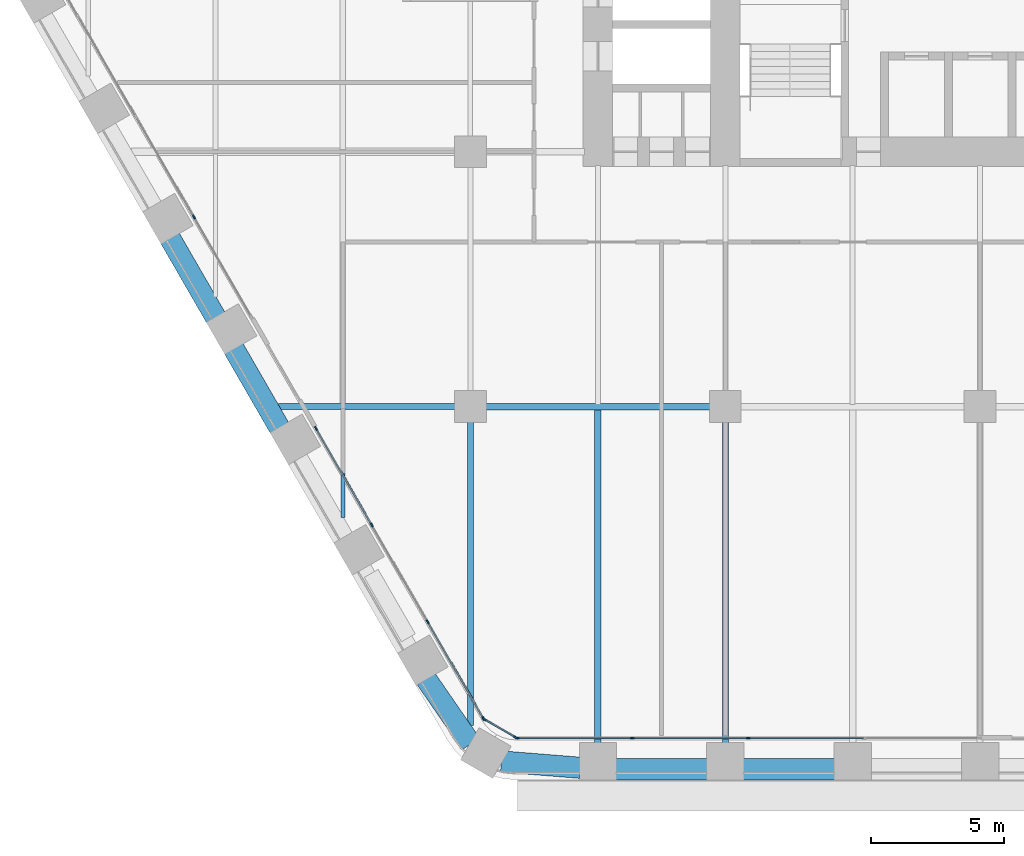
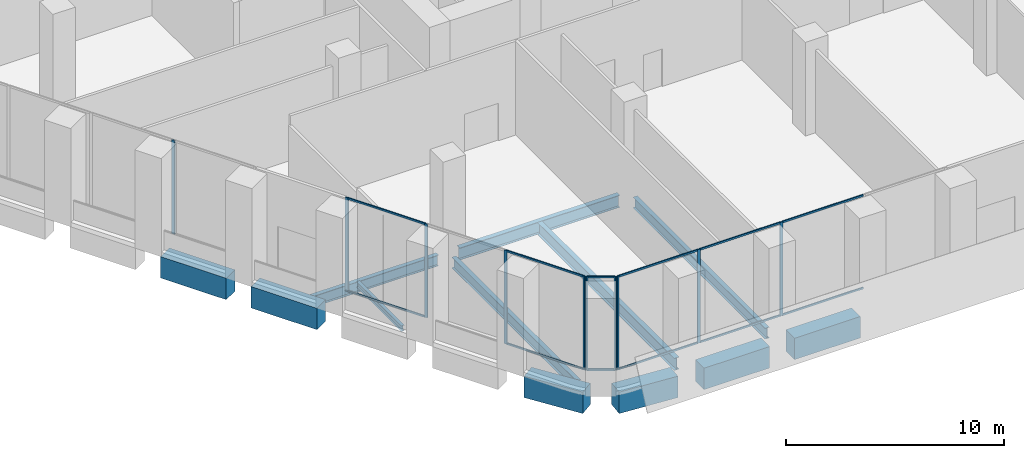
# One storey, part 2 of 27: 22 members, 12 beams, 4 elements without a shape of their own.
"""IFC4 building model written with IfcOpenShell, lengths in metres."""

from ifc_helpers import new_model, si_unit, direction, frame, origin, origin_2d, place, context, subcontext, project, spatial, rectangle, i_section, extrude, material, material_profile, profile_set, type_object, element, aggregate, save


model = new_model("IFC4")

# Units and contexts
model_context = context("Model", 3, precision=1e-05, world=origin(), true_north=direction((0.0, 1.0)))
body_context = subcontext(model_context, "Body", "Model", "MODEL_VIEW")
ifc_project = project(units=[si_unit("LENGTHUNIT", "METRE"), si_unit("AREAUNIT", "SQUARE_METRE"), si_unit("VOLUMEUNIT", "CUBIC_METRE"), si_unit("PLANEANGLEUNIT", "RADIAN"), si_unit("MASSUNIT", "GRAM", prefix="KILO")], contexts=[model_context])

# Site, building, storey
site_placement = place(None, origin())
site = spatial("IfcSite", under=ifc_project, at=site_placement, CompositionType="ELEMENT")
building_placement = place(site_placement, origin())
building = spatial("IfcBuilding", under=site, at=building_placement, Name="Kolab Exchange Tower", CompositionType="ELEMENT")
storey_placement = place(building_placement, frame((0.0, 0.0, 44.39990234375)))
storey = spatial("IfcBuildingStorey", under=building, at=storey_placement, Name="L08", CompositionType="ELEMENT", Elevation=44.39990234375)

# Beams
ifc_material_1 = material(Name="Steel S355", Category="steel")
ifc_material_profile_1 = material_profile(ifc_material_1, i_section(OverallWidth=0.1650390625, OverallDepth=0.31005859375, WebThickness=0.005859375, FlangeThickness=0.009765625, at=origin_2d()), Name="W310X39")
ifc_profile_set_1 = profile_set([ifc_material_profile_1], Name="Steel S355")
beam_type_1 = type_object("IfcBeamType", Name="FLOOR BEAM W310X39", PredefinedType="BEAM", material=ifc_profile_set_1)
beam_1_placement = place(storey_placement, frame((-24.0, -23.381591796875, -0.40478515625), z_axis=(0.0, 1.0, 0.0), x_axis=(-1.0, 0.0, 0.0)))
element("IfcBeam", 1, at=beam_1_placement, inside=storey, type_object=beam_type_1, Name="beam/L08/fr/006", PredefinedType="BEAM", context=body_context, shape_type="SweptSolid", body=[
    extrude(i_section(OverallWidth=0.1650390625, OverallDepth=0.31005859375, WebThickness=0.005859375, FlangeThickness=0.009765625, at=origin_2d()), origin(), (0.0, 0.0, 1.0), 4.107666015625),
])
ifc_material_profile_2 = material_profile(ifc_material_1, i_section(OverallWidth=0.22802734375, OverallDepth=0.60791015625, WebThickness=0.01123046875, FlangeThickness=0.017333984375, at=origin_2d()), Name="W610X113")
ifc_profile_set_2 = profile_set([ifc_material_profile_2], Name="Steel S355")
beam_type_2 = type_object("IfcBeamType", Name="FLOOR BEAM W610X113", PredefinedType="BEAM", material=ifc_profile_set_2)
beam_2_placement = place(storey_placement, frame((-19.199951171875, -31.214599609375, -0.553955078125), z_axis=(0.0, 1.0, 0.0), x_axis=(-1.0, 0.0, 0.0)))
element("IfcBeam", 2, at=beam_2_placement, inside=storey, type_object=beam_type_2, Name="beam/L08/fr/012", PredefinedType="BEAM", context=body_context, shape_type="SweptSolid", body=[
    extrude(i_section(OverallWidth=0.22802734375, OverallDepth=0.60791015625, WebThickness=0.01123046875, FlangeThickness=0.017333984375, at=origin_2d()), origin(), (0.0, 0.0, 1.0), 11.45458984375),
])
beam_3_placement = place(storey_placement, frame((-9.60009765625, -31.8955078125, -0.553955078125), z_axis=(0.0, 1.0, 0.0), x_axis=(-1.0, 0.0, 0.0)))
element("IfcBeam", 3, at=beam_3_placement, inside=storey, type_object=beam_type_2, Name="beam/L08/fr/022", PredefinedType="BEAM", context=body_context, shape_type="SweptSolid", body=[
    extrude(i_section(OverallWidth=0.22802734375, OverallDepth=0.60791015625, WebThickness=0.01123046875, FlangeThickness=0.017333984375, at=origin_2d()), origin(), (0.0, 0.0, 1.0), 12.135498046875),
])
ifc_material_profile_3 = material_profile(ifc_material_1, i_section(OverallWidth=0.25390625, OverallDepth=0.68408203125, WebThickness=0.012451171875, FlangeThickness=0.018798828125, at=origin_2d()), Name="W690X140")
ifc_profile_set_3 = profile_set([ifc_material_profile_3], Name="Steel S355")
beam_type_3 = type_object("IfcBeamType", Name="FLOOR BEAM W690X140", PredefinedType="BEAM", material=ifc_profile_set_3)
beam_4_placement = place(storey_placement, frame((-14.39990234375, -31.8955078125, -0.591796875), z_axis=(0.0, 1.0, 0.0), x_axis=(-1.0, 0.0, 0.0)))
element("IfcBeam", 4, at=beam_4_placement, inside=storey, type_object=beam_type_3, Name="beam/L08/fr/018", PredefinedType="BEAM", context=body_context, shape_type="SweptSolid", body=[
    extrude(i_section(OverallWidth=0.25390625, OverallDepth=0.68408203125, WebThickness=0.012451171875, FlangeThickness=0.018798828125, at=origin_2d()), origin(), (0.0, 0.0, 1.0), 12.6083984375),
])
ifc_material_profile_4 = material_profile(ifc_material_1, i_section(OverallWidth=0.22802734375, OverallDepth=0.60791015625, WebThickness=0.01123046875, FlangeThickness=0.017333984375, at=origin_2d()), Name="W610X113")
ifc_profile_set_4 = profile_set([ifc_material_profile_4], Name="Steel S355")
beam_type_4 = type_object("IfcBeamType", Name="FLOOR GIRDER W610X113", PredefinedType="BEAM", material=ifc_profile_set_4)
beam_5_placement = place(storey_placement, frame((-26.43115234375, -19.199951171875, -0.553955078125), z_axis=(1.0, 0.0, 0.0), x_axis=(0.0, 1.0, 0.0)))
element("IfcBeam", 5, at=beam_5_placement, inside=storey, type_object=beam_type_4, Name="beam/L08/gd/004", PredefinedType="BEAM", context=body_context, shape_type="SweptSolid", body=[
    extrude(i_section(OverallWidth=0.22802734375, OverallDepth=0.60791015625, WebThickness=0.01123046875, FlangeThickness=0.017333984375, at=origin_2d()), origin(), (0.0, 0.0, 1.0), 6.671142578125),
])
ifc_material_profile_5 = material_profile(ifc_material_1, i_section(OverallWidth=0.25390625, OverallDepth=0.68408203125, WebThickness=0.012451171875, FlangeThickness=0.018798828125, at=origin_2d()), Name="W690X140")
ifc_profile_set_5 = profile_set([ifc_material_profile_5], Name="Steel S355")
beam_type_5 = type_object("IfcBeamType", Name="FLOOR GIRDER W690X140", PredefinedType="BEAM", material=ifc_profile_set_5)
beam_6_placement = place(storey_placement, frame((-18.639892578125, -19.199951171875, -0.591796875), z_axis=(1.0, 0.0, 0.0), x_axis=(0.0, 1.0, 0.0)))
element("IfcBeam", 6, at=beam_6_placement, inside=storey, type_object=beam_type_5, Name="beam/L08/gd/006", PredefinedType="BEAM", context=body_context, shape_type="SweptSolid", body=[
    extrude(i_section(OverallWidth=0.25390625, OverallDepth=0.68408203125, WebThickness=0.012451171875, FlangeThickness=0.018798828125, at=origin_2d()), origin(), (0.0, 0.0, 1.0), 8.47998046875),
])
ifc_material_2 = material(Name="Concrete C80/95", Category="concrete")
ifc_material_profile_6 = material_profile(ifc_material_2, rectangle(XDim=0.800048828125, YDim=1.199951171875, at=origin_2d()), Name="RC800X1200")
ifc_profile_set_6 = profile_set([ifc_material_profile_6], Name="Concrete C80/95")
beam_type_6 = type_object("IfcBeamType", Name="SPANDREL BEAM 800X1200 C80/95", PredefinedType="BEAM", material=ifc_profile_set_6)
for number, where, z_axis, x_axis, name in (
    (7, (-5.4599609375, -32.85546875, -0.849853515625), (-1.0, 0.0, 0.0), (0.0, -1.0, 0.0), "beam/L08/sp/F4-06"),
    (8, (-10.260009765625, -32.85546875, -0.849853515625), (-1.0, 0.0, 0.0), (0.0, -1.0, 0.0), "beam/L08/sp/F4-07"),
):
    element("IfcBeam", number, at=place(storey_placement, frame(where, z_axis=z_axis, x_axis=x_axis)), inside=storey, type_object=beam_type_6, Name=name, PredefinedType="BEAM", context=body_context, shape_type="SweptSolid", body=[
        extrude(rectangle(XDim=0.800048828125, YDim=1.199951171875, at=origin_2d()), origin(), (0.0, 0.0, 1.0), 3.47998046875),
    ])
beam_7_placement = place(storey_placement, frame((-15.06005859375, -32.802734375, -0.849853515625), z_axis=(-0.996833978278, 0.07951112973, 0.0), x_axis=(-0.07951112973, -0.996833978278, 0.0)))
element("IfcBeam", 9, at=beam_7_placement, inside=storey, type_object=beam_type_6, Name="beam/L08/sp/F4-08", PredefinedType="BEAM", context=body_context, shape_type="SweptSolid", body=[
    extrude(rectangle(XDim=0.800048828125, YDim=1.199951171875, at=origin_2d()), origin(), (0.0, 0.0, 1.0), 2.984619140625),
])
beam_8_placement = place(storey_placement, frame((-19.18505859375, -31.901611328125, -0.849853515625), z_axis=(-0.567247290755, 0.823547516013, 0.0), x_axis=(-0.823547516013, -0.567247290755, 0.0)))
element("IfcBeam", 10, at=beam_8_placement, inside=storey, type_object=beam_type_6, Name="beam/L08/sp/F5-01", PredefinedType="BEAM", context=body_context, shape_type="SweptSolid", body=[
    extrude(rectangle(XDim=0.800048828125, YDim=1.199951171875, at=origin_2d()), origin(), (0.0, 0.0, 1.0), 2.984375),
])
beam_9_placement = place(storey_placement, frame((-26.383544921875, -20.012939453125, -0.849853515625), z_axis=(-0.500009906705, 0.86601968407, 0.0), x_axis=(-0.86601968407, -0.500009906705, 0.0)))
element("IfcBeam", 11, at=beam_9_placement, inside=storey, type_object=beam_type_6, Name="beam/L08/sp/F5-04", PredefinedType="BEAM", context=body_context, shape_type="SweptSolid", body=[
    extrude(rectangle(XDim=0.800048828125, YDim=1.199951171875, at=origin_2d()), origin(), (0.0, 0.0, 1.0), 3.47998046875),
])
beam_10_placement = place(storey_placement, frame((-28.78369140625, -15.856201171875, -0.849853515625), z_axis=(-0.499979528911, 0.866037222451, 0.0), x_axis=(-0.866037222451, -0.499979528911, 0.0)))
element("IfcBeam", 12, at=beam_10_placement, inside=storey, type_object=beam_type_6, Name="beam/L08/sp/F5-05", PredefinedType="BEAM", context=body_context, shape_type="SweptSolid", body=[
    extrude(rectangle(XDim=0.800048828125, YDim=1.199951171875, at=origin_2d()), origin(), (0.0, 0.0, 1.0), 3.480224609375),
])

# Curtain wall, members
ifc_material_3 = material(Name="Aluminium EN AW-6063 T6", Category="aluminium")
curtain_wall_type = type_object("IfcCurtainWallType", Name="UNITISED LOW ZONE CURTAIN WALL", PredefinedType="NOTDEFINED", material=ifc_material_3)
curtain_wall_1_placement = place(storey_placement, origin())
curtain_wall_1 = element("IfcCurtainWall", 13, at=curtain_wall_1_placement, inside=storey, type_object=curtain_wall_type, Name="cw/L08/F4-2", PredefinedType="NOTDEFINED")
ifc_material_profile_7 = material_profile(ifc_material_3, rectangle(XDim=0.06005859375, YDim=0.159912109375, at=origin_2d()), Name="RECT 60X160")
ifc_profile_set_7 = profile_set([ifc_material_profile_7], Name="Aluminium EN AW-6063 T6")
member_type_1 = type_object("IfcMemberType", Name="UNITISED LOW ZONE MULLION 60 X 160", PredefinedType="MULLION", material=ifc_profile_set_7)
member_1_placement = place(storey_placement, frame((-8.73388671875, -31.67529296875, 0.0), z_axis=(0.0, 0.0, 1.0), x_axis=(0.0, -1.0, 0.0)))
member_1 = element("IfcMember", 14, at=member_1_placement, type_object=member_type_1, Name="CW1 mullion 3", PredefinedType="MULLION", context=body_context, shape_type="SweptSolid", body=[
    extrude(rectangle(XDim=0.06005859375, YDim=0.159912109375, at=origin_2d()), origin(), (0.0, 0.0, 1.0), 5.25),
])
member_2_placement = place(storey_placement, frame((-13.10107421875, -31.67529296875, 0.0), z_axis=(0.0, 0.0, 1.0), x_axis=(0.0, -1.0, 0.0)))
member_2 = element("IfcMember", 15, at=member_2_placement, type_object=member_type_1, Name="CW1 mullion 4", PredefinedType="MULLION", context=body_context, shape_type="SweptSolid", body=[
    extrude(rectangle(XDim=0.06005859375, YDim=0.159912109375, at=origin_2d()), origin(), (0.0, 0.0, 1.0), 5.25),
])
member_3_placement = place(storey_placement, frame((-17.43798828125, -31.67529296875, 0.0), z_axis=(0.0, 0.0, 1.0), x_axis=(0.0, -1.0, 0.0)))
member_3 = element("IfcMember", 16, at=member_3_placement, type_object=member_type_1, Name="CW1 mullion 5", PredefinedType="MULLION", context=body_context, shape_type="SweptSolid", body=[
    extrude(rectangle(XDim=0.06005859375, YDim=0.159912109375, at=origin_2d()), origin(), (0.0, 0.0, 1.0), 5.25),
])

curtain_wall_2_placement = place(storey_placement, origin())
curtain_wall_2 = element("IfcCurtainWall", 17, at=curtain_wall_2_placement, inside=storey, type_object=curtain_wall_type, Name="cw/L08/F5-1", PredefinedType="NOTDEFINED")
member_4_placement = place(storey_placement, frame((-18.712646484375, -30.939453125, 0.0), z_axis=(0.0, 0.0, 1.0), x_axis=(-0.866025393644, -0.500000017564, 0.0)))
member_4 = element("IfcMember", 18, at=member_4_placement, type_object=member_type_1, Name="CW1 mullion 1", PredefinedType="MULLION", context=body_context, shape_type="SweptSolid", body=[
    extrude(rectangle(XDim=0.06005859375, YDim=0.159912109375, at=origin_2d()), origin(), (0.0, 0.0, 1.0), 5.25),
])
member_5_placement = place(storey_placement, frame((-20.80908203125, -27.308349609375, 0.0), z_axis=(0.0, 0.0, 1.0), x_axis=(-0.866025393644, -0.500000017564, 0.0)))
member_5 = element("IfcMember", 19, at=member_5_placement, type_object=member_type_1, Name="CW1 mullion 2", PredefinedType="MULLION", context=body_context, shape_type="SweptSolid", body=[
    extrude(rectangle(XDim=0.06005859375, YDim=0.159912109375, at=origin_2d()), origin(), (0.0, 0.0, 1.0), 5.25),
])
member_6_placement = place(storey_placement, frame((-22.92041015625, -23.651611328125, 0.0), z_axis=(0.0, 0.0, 1.0), x_axis=(-0.866025393644, -0.500000017564, 0.0)))
member_6 = element("IfcMember", 20, at=member_6_placement, type_object=member_type_1, Name="CW1 mullion 3", PredefinedType="MULLION", context=body_context, shape_type="SweptSolid", body=[
    extrude(rectangle(XDim=0.06005859375, YDim=0.159912109375, at=origin_2d()), origin(), (0.0, 0.0, 1.0), 5.25),
])
member_7_placement = place(storey_placement, frame((-25.0166015625, -20.0205078125, 0.0), z_axis=(0.0, 0.0, 1.0), x_axis=(-0.866025393644, -0.500000017564, 0.0)))
member_7 = element("IfcMember", 21, at=member_7_placement, type_object=member_type_1, Name="CW1 mullion 4", PredefinedType="MULLION", context=body_context, shape_type="SweptSolid", body=[
    extrude(rectangle(XDim=0.06005859375, YDim=0.159912109375, at=origin_2d()), origin(), (0.0, 0.0, 1.0), 5.25),
])

# Curtain wall, member
curtain_wall_3_placement = place(storey_placement, origin())
curtain_wall_3 = element("IfcCurtainWall", 22, at=curtain_wall_3_placement, inside=storey, type_object=curtain_wall_type, Name="cw/L08/F5-2", PredefinedType="NOTDEFINED")
member_8_placement = place(storey_placement, frame((-29.615234375, -12.0556640625, 0.0), z_axis=(0.0, 0.0, 1.0), x_axis=(-0.866025422102, -0.499999968274, 0.0)))
member_8 = element("IfcMember", 23, at=member_8_placement, type_object=member_type_1, Name="CW1 mullion 2", PredefinedType="MULLION", context=body_context, shape_type="SweptSolid", body=[
    extrude(rectangle(XDim=0.06005859375, YDim=0.159912109375, at=origin_2d()), origin(), (0.0, 0.0, 1.0), 5.25),
])
aggregate(curtain_wall_3, [member_8])

# Curtain wall, members
curtain_wall_4_placement = place(storey_placement, origin())
curtain_wall_4 = element("IfcCurtainWall", 24, at=curtain_wall_4_placement, inside=storey, type_object=curtain_wall_type, Name="cw/L08/F4F5-corner", PredefinedType="NOTDEFINED")
member_9_placement = place(storey_placement, frame((-17.493896484375, -31.660400390625, 0.0), z_axis=(0.0, 0.0, 1.0), x_axis=(-0.50000002237, -0.866025390869, 0.0)))
member_9 = element("IfcMember", 25, at=member_9_placement, type_object=member_type_1, Name="CW1 mullion 1", PredefinedType="MULLION", context=body_context, shape_type="SweptSolid", body=[
    extrude(rectangle(XDim=0.06005859375, YDim=0.159912109375, at=origin_2d()), origin(), (0.0, 0.0, 1.0), 5.25),
])
member_10_placement = place(storey_placement, frame((-18.671630859375, -30.98046875, 0.0), z_axis=(0.0, 0.0, 1.0), x_axis=(-0.50000002237, -0.866025390869, 0.0)))
member_10 = element("IfcMember", 26, at=member_10_placement, type_object=member_type_1, Name="CW1 mullion 2", PredefinedType="MULLION", context=body_context, shape_type="SweptSolid", body=[
    extrude(rectangle(XDim=0.06005859375, YDim=0.159912109375, at=origin_2d()), origin(), (0.0, 0.0, 1.0), 5.25),
])

# Member
ifc_material_profile_8 = material_profile(ifc_material_3, rectangle(XDim=0.06005859375, YDim=0.10009765625, at=origin_2d()), Name="RECT 60X100")
ifc_profile_set_8 = profile_set([ifc_material_profile_8], Name="Aluminium EN AW-6063 T6")
member_type_2 = type_object("IfcMemberType", Name="UNITISED LOW ZONE TRANSOM 60 X 100", PredefinedType="USERDEFINED", material=ifc_profile_set_8)
member_11_placement = place(storey_placement, frame((-4.39697265625, -31.67529296875, 0.030029296875), z_axis=(-1.0, 0.0, 0.0), x_axis=(0.0, -1.0, 0.0)))
member_11 = element("IfcMember", 27, at=member_11_placement, type_object=member_type_2, Name="CW1 transom 2.1", ObjectType="TRANSOM", PredefinedType="USERDEFINED", context=body_context, shape_type="SweptSolid", body=[
    extrude(rectangle(XDim=0.06005859375, YDim=0.10009765625, at=origin_2d()), origin(), (0.0, 0.0, 1.0), 4.306884765625),
])

member_12_placement = place(storey_placement, frame((-4.39697265625, -31.67529296875, 5.22021484375), z_axis=(-1.0, 0.0, 0.0), x_axis=(0.0, -1.0, 0.0)))
member_12 = element("IfcMember", 28, at=member_12_placement, type_object=member_type_2, Name="CW1 transom 2.2", ObjectType="TRANSOM", PredefinedType="USERDEFINED", context=body_context, shape_type="SweptSolid", body=[
    extrude(rectangle(XDim=0.06005859375, YDim=0.10009765625, at=origin_2d()), origin(), (0.0, 0.0, 1.0), 4.306884765625),
])

member_13_placement = place(storey_placement, frame((-8.763916015625, -31.67529296875, 0.030029296875), z_axis=(-1.0, 0.0, 0.0), x_axis=(0.0, -1.0, 0.0)))
member_13 = element("IfcMember", 29, at=member_13_placement, type_object=member_type_2, Name="CW1 transom 3.1", ObjectType="TRANSOM", PredefinedType="USERDEFINED", context=body_context, shape_type="SweptSolid", body=[
    extrude(rectangle(XDim=0.06005859375, YDim=0.10009765625, at=origin_2d()), origin(), (0.0, 0.0, 1.0), 4.30712890625),
])

member_14_placement = place(storey_placement, frame((-8.763916015625, -31.67529296875, 5.22021484375), z_axis=(-1.0, 0.0, 0.0), x_axis=(0.0, -1.0, 0.0)))
member_14 = element("IfcMember", 30, at=member_14_placement, type_object=member_type_2, Name="CW1 transom 3.2", ObjectType="TRANSOM", PredefinedType="USERDEFINED", context=body_context, shape_type="SweptSolid", body=[
    extrude(rectangle(XDim=0.06005859375, YDim=0.10009765625, at=origin_2d()), origin(), (0.0, 0.0, 1.0), 4.30712890625),
])

member_15_placement = place(storey_placement, frame((-13.130859375, -31.67529296875, 0.030029296875), z_axis=(-1.0, 0.0, 0.0), x_axis=(0.0, -1.0, 0.0)))
member_15 = element("IfcMember", 31, at=member_15_placement, type_object=member_type_2, Name="CW1 transom 4.1", ObjectType="TRANSOM", PredefinedType="USERDEFINED", context=body_context, shape_type="SweptSolid", body=[
    extrude(rectangle(XDim=0.06005859375, YDim=0.10009765625, at=origin_2d()), origin(), (0.0, 0.0, 1.0), 4.277099609375),
])

member_16_placement = place(storey_placement, frame((-13.130859375, -31.67529296875, 5.22021484375), z_axis=(-1.0, 0.0, 0.0), x_axis=(0.0, -1.0, 0.0)))
member_16 = element("IfcMember", 32, at=member_16_placement, type_object=member_type_2, Name="CW1 transom 4.2", ObjectType="TRANSOM", PredefinedType="USERDEFINED", context=body_context, shape_type="SweptSolid", body=[
    extrude(rectangle(XDim=0.06005859375, YDim=0.10009765625, at=origin_2d()), origin(), (0.0, 0.0, 1.0), 4.277099609375),
])

aggregate(curtain_wall_1, [member_1, member_2, member_3, member_11, member_12, member_13, member_14, member_15, member_16])

member_17_placement = place(storey_placement, frame((-18.727783203125, -30.913330078125, 0.030029296875), z_axis=(-0.499983268986, 0.866035063224, 0.0), x_axis=(-0.866035063224, -0.499983268986, 0.0)))
member_17 = element("IfcMember", 33, at=member_17_placement, type_object=member_type_2, Name="CW1 transom 1.1", ObjectType="TRANSOM", PredefinedType="USERDEFINED", context=body_context, shape_type="SweptSolid", body=[
    extrude(rectangle(XDim=0.06005859375, YDim=0.10009765625, at=origin_2d()), origin(), (0.0, 0.0, 1.0), 4.132568359375),
])

member_18_placement = place(storey_placement, frame((-18.727783203125, -30.913330078125, 5.22021484375), z_axis=(-0.499983268986, 0.866035063224, 0.0), x_axis=(-0.866035063224, -0.499983268986, 0.0)))
member_18 = element("IfcMember", 34, at=member_18_placement, type_object=member_type_2, Name="CW1 transom 1.2", ObjectType="TRANSOM", PredefinedType="USERDEFINED", context=body_context, shape_type="SweptSolid", body=[
    extrude(rectangle(XDim=0.06005859375, YDim=0.10009765625, at=origin_2d()), origin(), (0.0, 0.0, 1.0), 4.132568359375),
])

member_19_placement = place(storey_placement, frame((-22.935302734375, -23.62548828125, 0.030029296875), z_axis=(-0.500027577057, 0.866009481578, 0.0), x_axis=(-0.866009481578, -0.500027577057, 0.0)))
member_19 = element("IfcMember", 35, at=member_19_placement, type_object=member_type_2, Name="CW1 transom 3.1", ObjectType="TRANSOM", PredefinedType="USERDEFINED", context=body_context, shape_type="SweptSolid", body=[
    extrude(rectangle(XDim=0.06005859375, YDim=0.10009765625, at=origin_2d()), origin(), (0.0, 0.0, 1.0), 4.132568359375),
])

member_20_placement = place(storey_placement, frame((-22.935302734375, -23.62548828125, 5.22021484375), z_axis=(-0.500027577057, 0.866009481578, 0.0), x_axis=(-0.866009481578, -0.500027577057, 0.0)))
member_20 = element("IfcMember", 36, at=member_20_placement, type_object=member_type_2, Name="CW1 transom 3.2", ObjectType="TRANSOM", PredefinedType="USERDEFINED", context=body_context, shape_type="SweptSolid", body=[
    extrude(rectangle(XDim=0.06005859375, YDim=0.10009765625, at=origin_2d()), origin(), (0.0, 0.0, 1.0), 4.132568359375),
])

aggregate(curtain_wall_2, [member_4, member_5, member_6, member_7, member_17, member_18, member_19, member_20])

member_21_placement = place(storey_placement, frame((-17.52001953125, -31.645263671875, 0.030029296875), z_axis=(-0.86603858612, 0.49997716683, 0.0), x_axis=(-0.49997716683, -0.86603858612, 0.0)))
member_21 = element("IfcMember", 37, at=member_21_placement, type_object=member_type_2, Name="CW1 transom 1.1", ObjectType="TRANSOM", PredefinedType="USERDEFINED", context=body_context, shape_type="SweptSolid", body=[
    extrude(rectangle(XDim=0.06005859375, YDim=0.10009765625, at=origin_2d()), origin(), (0.0, 0.0, 1.0), 1.2998046875),
])

member_22_placement = place(storey_placement, frame((-17.52001953125, -31.645263671875, 5.22021484375), z_axis=(-0.86603858612, 0.49997716683, 0.0), x_axis=(-0.49997716683, -0.86603858612, 0.0)))
member_22 = element("IfcMember", 38, at=member_22_placement, type_object=member_type_2, Name="CW1 transom 1.2", ObjectType="TRANSOM", PredefinedType="USERDEFINED", context=body_context, shape_type="SweptSolid", body=[
    extrude(rectangle(XDim=0.06005859375, YDim=0.10009765625, at=origin_2d()), origin(), (0.0, 0.0, 1.0), 1.2998046875),
])

aggregate(curtain_wall_4, [member_9, member_10, member_21, member_22])

save(model, "model.ifc")
